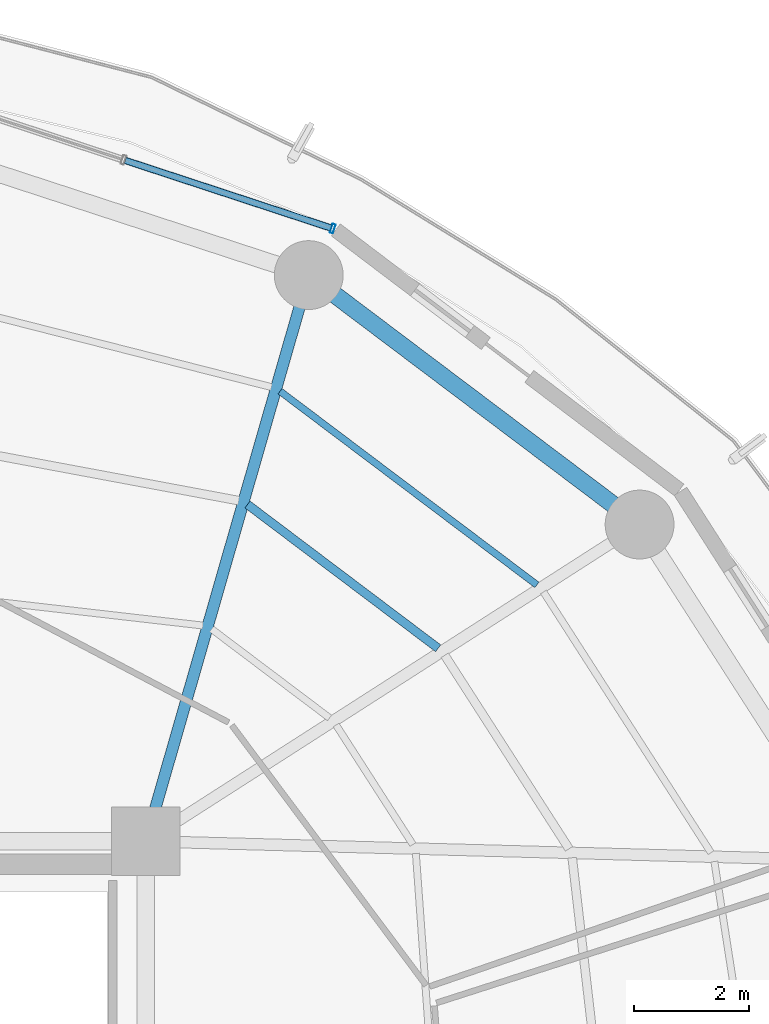
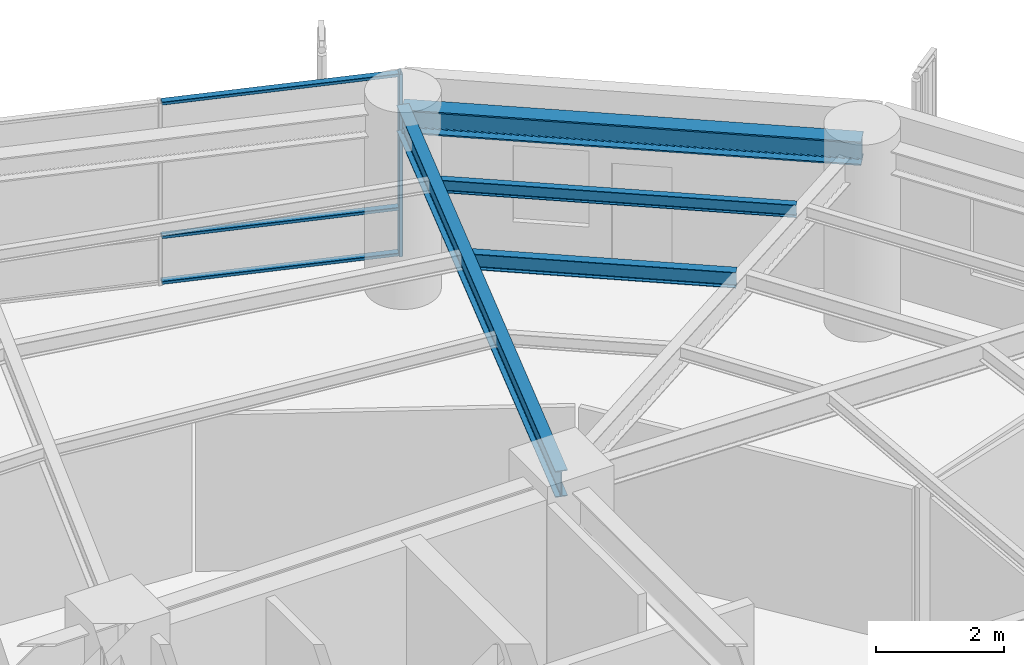
# One storey, part 19 of 27: 4 beams, 4 members, 1 element without a shape of its own.
"""IFC4 building model written with IfcOpenShell, lengths in metres."""

from ifc_helpers import new_model, si_unit, direction, frame, origin, origin_2d, place, context, subcontext, project, spatial, hollow_rectangle, i_section, extrude, material, layer, layer_set, material_profile, profile_set, type_object, element, aggregate, save


model = new_model("IFC4")

# Units and contexts
model_context = context("Model", 3, precision=1e-05, world=origin(), true_north=direction((0.0, 1.0)))
body_context = subcontext(model_context, "Body", "Model", "MODEL_VIEW")
ifc_project = project(units=[si_unit("LENGTHUNIT", "METRE"), si_unit("AREAUNIT", "SQUARE_METRE"), si_unit("VOLUMEUNIT", "CUBIC_METRE"), si_unit("PLANEANGLEUNIT", "RADIAN"), si_unit("MASSUNIT", "GRAM", prefix="KILO")], contexts=[model_context])

# Site, building, storey
site_placement = place(None, origin())
site = spatial("IfcSite", under=ifc_project, at=site_placement, CompositionType="ELEMENT")
building_placement = place(site_placement, origin())
building = spatial("IfcBuilding", under=site, at=building_placement, Name="Kelanora Arch Commons", CompositionType="ELEMENT")
storey_placement = place(building_placement, frame((0.0, 0.0, 169.35009765625)))
storey = spatial("IfcBuildingStorey", under=building, at=storey_placement, Name="L43", CompositionType="ELEMENT", Elevation=169.35009765625)

# Beams
ifc_material_1 = material(Name="Steel S355", Category="steel")
ifc_material_profile_1 = material_profile(ifc_material_1, i_section(OverallWidth=0.14990234375, OverallDepth=0.300048828125, WebThickness=0.007080078125, FlangeThickness=0.0107421875, FilletRadius=0.014892578125, at=origin_2d()), Name="IPE300")
ifc_profile_set_1 = profile_set([ifc_material_profile_1], Name="Steel S355")
beam_type_1 = type_object("IfcBeamType", Name="BM-JST-01", PredefinedType="JOIST", material=ifc_profile_set_1)
beam_1_placement = place(storey_placement, frame((87.0966796875, 68.364013671875, 3.33984375), z_axis=(-0.798463547891, 0.602043156833, 0.0), x_axis=(-0.602043156833, -0.798463547891, 0.0)))
element("IfcBeam", 1, at=beam_1_placement, inside=storey, type_object=beam_type_1, Name="Secondary Chord Joist BJB-04 L43", PredefinedType="JOIST", context=body_context, shape_type="SweptSolid", body=[
    extrude(i_section(OverallWidth=0.14990234375, OverallDepth=0.300048828125, WebThickness=0.007080078125, FlangeThickness=0.0107421875, FilletRadius=0.014892578125, at=origin_2d()), origin(), (0.0, 0.0, 1.0), 4.163818359375),
])
ifc_material_profile_2 = material_profile(ifc_material_1, i_section(OverallWidth=0.1201171875, OverallDepth=0.239990234375, WebThickness=0.006103515625, FlangeThickness=0.009765625, FilletRadius=0.014892578125, at=origin_2d()), Name="IPE240")
ifc_profile_set_2 = profile_set([ifc_material_profile_2], Name="Steel S355")
beam_type_2 = type_object("IfcBeamType", Name="BM-JST-02", PredefinedType="JOIST", material=ifc_profile_set_2)
beam_2_placement = place(storey_placement, frame((88.818359375, 69.468505859375, 3.369873046875), z_axis=(-0.798493128577, 0.602003923256, 0.0), x_axis=(-0.602003923256, -0.798493128577, 0.0)))
element("IfcBeam", 2, at=beam_2_placement, inside=storey, type_object=beam_type_2, Name="Secondary Chord Joist BJC-04 L43", PredefinedType="JOIST", context=body_context, shape_type="SweptSolid", body=[
    extrude(i_section(OverallWidth=0.1201171875, OverallDepth=0.239990234375, WebThickness=0.006103515625, FlangeThickness=0.009765625, FilletRadius=0.014892578125, at=origin_2d()), origin(), (0.0, 0.0, 1.0), 5.608642578125),
])
ifc_material_profile_3 = material_profile(ifc_material_1, i_section(OverallWidth=0.199951171875, OverallDepth=0.5, WebThickness=0.01025390625, FlangeThickness=0.01611328125, FilletRadius=0.02099609375, at=origin_2d()), Name="IPE500")
ifc_profile_set_3 = profile_set([ifc_material_profile_3], Name="Steel S355")
beam_type_3 = type_object("IfcBeamType", Name="BM-RAD-Z3", PredefinedType="BEAM", material=ifc_profile_set_3)
beam_3_placement = place(storey_placement, frame((82.0, 65.0, 3.239990234375), z_axis=(0.276525880065, 0.961006471182, 0.0), x_axis=(-0.961006471182, 0.276525880065, 0.0)))
element("IfcBeam", 3, at=beam_3_placement, inside=storey, type_object=beam_type_3, Name="Radial Floor Girder BR-06 L43", PredefinedType="BEAM", context=body_context, shape_type="SweptSolid", body=[
    extrude(i_section(OverallWidth=0.199951171875, OverallDepth=0.5, WebThickness=0.01025390625, FlangeThickness=0.01611328125, FilletRadius=0.02099609375, at=origin_2d()), origin(), (0.0, 0.0, 1.0), 10.2705078125),
])
ifc_material_profile_4 = material_profile(ifc_material_1, i_section(OverallWidth=0.300048828125, OverallDepth=0.449951171875, WebThickness=0.013916015625, FlangeThickness=0.02587890625, FilletRadius=0.027099609375, at=origin_2d()), Name="HEB450")
ifc_profile_set_4 = profile_set([ifc_material_profile_4], Name="Steel S355")
beam_type_4 = type_object("IfcBeamType", Name="BM-SPN-Z3", PredefinedType="SPANDREL", material=ifc_profile_set_4)
beam_4_placement = place(storey_placement, frame((90.60791015625, 70.521484375, 3.264892578125), z_axis=(-0.798484645564, 0.60201517489, 0.0), x_axis=(-0.60201517489, -0.798484645564, 0.0)))
element("IfcBeam", 4, at=beam_4_placement, inside=storey, type_object=beam_type_4, Name="Perimeter Spandrel Beam BS-04 L43", PredefinedType="SPANDREL", context=body_context, shape_type="SweptSolid", body=[
    extrude(i_section(OverallWidth=0.300048828125, OverallDepth=0.449951171875, WebThickness=0.013916015625, FlangeThickness=0.02587890625, FilletRadius=0.027099609375, at=origin_2d()), origin(), (0.0, 0.0, 1.0), 7.223388671875),
])

# Curtain wall, members
ifc_material_2 = material(Name="Terracotta ceramic-fritted low-E glass and aluminium", Category="masonry")
ifc_layer = layer(ifc_material_2, 0.175048828125)
ifc_layer_set = layer_set([ifc_layer], Name="Terracotta ceramic-fritted low-E glass and aluminium")
curtain_wall_type = type_object("IfcCurtainWallType", Name="CW-SYS-02", PredefinedType="NOTDEFINED", material=ifc_layer_set)
curtain_wall_placement = place(storey_placement, origin())
curtain_wall = element("IfcCurtainWall", 5, at=curtain_wall_placement, inside=storey, type_object=curtain_wall_type, Name="Unitised Curtain Wall L43-B03", PredefinedType="NOTDEFINED")
ifc_material_3 = material(Name="Powder-coated aluminium terracotta", Category="masonry")
ifc_material_profile_5 = material_profile(ifc_material_3, hollow_rectangle(XDim=0.159912109375, YDim=0.06005859375, WallThickness=0.0048828125, InnerFilletRadius=0.0048828125, OuterFilletRadius=0.010009765625, at=origin_2d()), Name="CWM160x60")
ifc_profile_set_5 = profile_set([ifc_material_profile_5], Name="Powder-coated aluminium terracotta")
member_type_1 = type_object("IfcMemberType", Name="CWM-STD", PredefinedType="MULLION", material=ifc_profile_set_5)
member_1_placement = place(storey_placement, frame((85.257080078125, 75.680908203125, 0.0), z_axis=(0.0, 0.0, 1.0), x_axis=(-0.312128279571, -0.95003996605, 0.0)))
member_1 = element("IfcMember", 6, at=member_1_placement, type_object=member_type_1, Name="CW-02 mullion 1", PredefinedType="MULLION", context=body_context, shape_type="SweptSolid", body=[
    extrude(hollow_rectangle(XDim=0.159912109375, YDim=0.06005859375, WallThickness=0.0048828125, InnerFilletRadius=0.0048828125, OuterFilletRadius=0.010009765625, at=origin_2d()), origin(), (0.0, 0.0, 1.0), 3.474853515625),
])
ifc_material_profile_6 = material_profile(ifc_material_3, hollow_rectangle(XDim=0.1201171875, YDim=0.06005859375, WallThickness=0.0048828125, InnerFilletRadius=0.0048828125, OuterFilletRadius=0.010009765625, at=origin_2d()), Name="CWT120x60")
ifc_profile_set_6 = profile_set([ifc_material_profile_6], Name="Powder-coated aluminium terracotta")
member_type_2 = type_object("IfcMemberType", Name="CWT-STD", PredefinedType="USERDEFINED", material=ifc_profile_set_6)
member_2_placement = place(storey_placement, frame((85.228759765625, 75.6904296875, 0.02978515625), z_axis=(-0.950051191155, 0.312094111104, 0.0), x_axis=(-0.312094111104, -0.950051191155, 0.0)))
member_2 = element("IfcMember", 7, at=member_2_placement, type_object=member_type_2, Name="CW-02 transom 1.1", ObjectType="TRANSOM", PredefinedType="USERDEFINED", context=body_context, shape_type="SweptSolid", body=[
    extrude(hollow_rectangle(XDim=0.1201171875, YDim=0.06005859375, WallThickness=0.0048828125, InnerFilletRadius=0.0048828125, OuterFilletRadius=0.010009765625, at=origin_2d()), origin(), (0.0, 0.0, 1.0), 3.77685546875),
])
member_3_placement = place(storey_placement, frame((85.228759765625, 75.6904296875, 0.89990234375), z_axis=(-0.950051191155, 0.312094111104, 0.0), x_axis=(-0.312094111104, -0.950051191155, 0.0)))
member_3 = element("IfcMember", 8, at=member_3_placement, type_object=member_type_2, Name="CW-02 transom 1.2", ObjectType="TRANSOM", PredefinedType="USERDEFINED", context=body_context, shape_type="SweptSolid", body=[
    extrude(hollow_rectangle(XDim=0.1201171875, YDim=0.06005859375, WallThickness=0.0048828125, InnerFilletRadius=0.0048828125, OuterFilletRadius=0.010009765625, at=origin_2d()), origin(), (0.0, 0.0, 1.0), 3.77685546875),
])
member_4_placement = place(storey_placement, frame((85.228759765625, 75.6904296875, 3.44482421875), z_axis=(-0.950051191155, 0.312094111104, 0.0), x_axis=(-0.312094111104, -0.950051191155, 0.0)))
member_4 = element("IfcMember", 9, at=member_4_placement, type_object=member_type_2, Name="CW-02 transom 1.3", ObjectType="TRANSOM", PredefinedType="USERDEFINED", context=body_context, shape_type="SweptSolid", body=[
    extrude(hollow_rectangle(XDim=0.1201171875, YDim=0.06005859375, WallThickness=0.0048828125, InnerFilletRadius=0.0048828125, OuterFilletRadius=0.010009765625, at=origin_2d()), origin(), (0.0, 0.0, 1.0), 3.77685546875),
])
aggregate(curtain_wall, [member_1, member_2, member_3, member_4])

save(model, "model.ifc")
